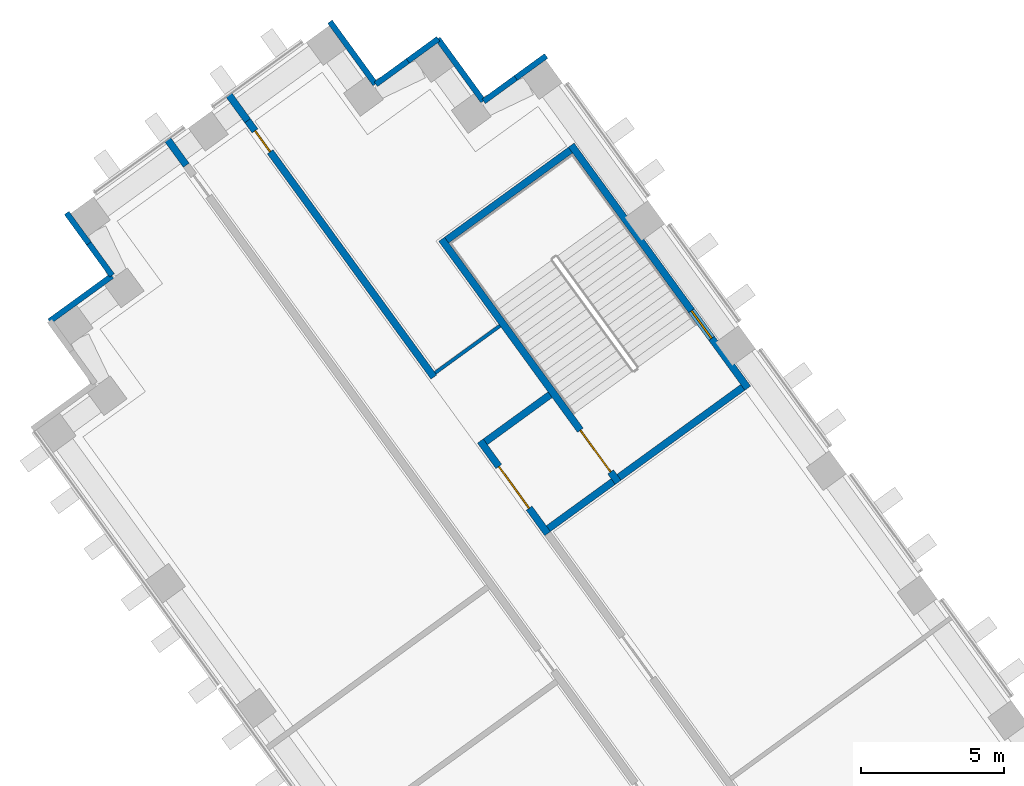
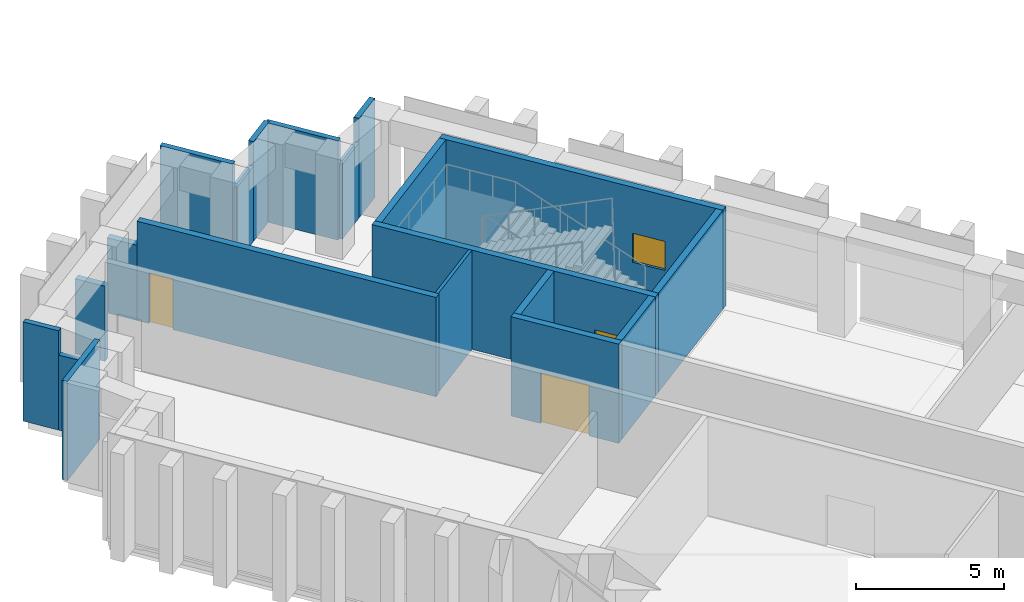
# One storey, part 9 of 15: 20 walls, 3 doors, 1 window, 4 openings.
"""IFC4 building model written with IfcOpenShell, lengths in metres."""

from ifc_helpers import new_model, si_unit, direction, frame, frame_2d, origin, place, context, subcontext, project, spatial, rectangle, extrude, material, layer, layer_set, type_object, element, fill, save


model = new_model("IFC4")

# Units and contexts
model_context = context("Model", 3, precision=1e-05, world=origin(), true_north=direction((0.0, 1.0)))
body_context = subcontext(model_context, "Body", "Model", "MODEL_VIEW")
ifc_project = project(units=[si_unit("LENGTHUNIT", "METRE"), si_unit("AREAUNIT", "SQUARE_METRE"), si_unit("VOLUMEUNIT", "CUBIC_METRE"), si_unit("PLANEANGLEUNIT", "RADIAN"), si_unit("MASSUNIT", "GRAM", prefix="KILO")], contexts=[model_context])

# Site, building, storey
site_placement = place(None, origin())
site = spatial("IfcSite", under=ifc_project, at=site_placement, CompositionType="ELEMENT")
building_placement = place(site_placement, origin())
building = spatial("IfcBuilding", under=site, at=building_placement, Name="Quipu Civic Tower", CompositionType="ELEMENT")
storey_placement = place(building_placement, frame((0.0, 0.0, 11.5)))
storey = spatial("IfcBuildingStorey", under=building, at=storey_placement, Name="L02", CompositionType="ELEMENT", Elevation=11.5)

# Wall, opening, window
ifc_material_1 = material(Name="Concrete C70/85", Category="concrete")
ifc_layer_1 = layer(ifc_material_1, 0.25)
ifc_layer_set_1 = layer_set([ifc_layer_1], Name="Concrete C70/85")
wall_type_1 = type_object("IfcWallType", Name="Core wall 250", PredefinedType="SHEAR", material=ifc_layer_set_1)
wall_1_placement = place(storey_placement, frame((-30.239501953125, 31.06396484375, 0.0), z_axis=(0.0, 0.0, 1.0), x_axis=(-0.587795589702, 0.809009483706, 0.0)))
wall_1 = element("IfcWall", 1, at=wall_1_placement, inside=storey, type_object=wall_type_1, Name="Core wall", PredefinedType="SHEAR", context=body_context, shape_type="SweptSolid", body=[
    extrude(rectangle(XDim=10.5, YDim=0.25, at=frame_2d((5.25, 0.0))), origin(), (0.0, 0.0, 1.0), 4.10009765625),
])
opening_1_placement = place(wall_1_placement, frame((2.14990234375, 0.0, 1.0)))
opening_1 = element("IfcOpeningElement", 2, at=opening_1_placement, cuts=wall_1, Name="Opening SV-6", PredefinedType="OPENING", context=body_context, shape_type="SweptSolid", body=[
    extrude(rectangle(XDim=1.199951171875, YDim=1.199951171875, at=frame_2d((0.60009765625, 0.60009765625))), frame((0.0, 0.135009765625, 0.0), z_axis=(0.0, -1.0, 0.0), x_axis=(1.0, 0.0, 0.0)), (0.0, 0.0, 1.0), 0.27001953125),
])
ifc_material_2 = material(Name="Aluminium louvre", Category="aluminium")
window_type = type_object("IfcWindowType", Name="Stair ventilation louvre 1200 x 1200", PartitioningType="SINGLE_PANEL", PredefinedType="WINDOW", material=ifc_material_2)
window_placement = place(opening_1_placement, origin())
window = element("IfcWindow", 3, at=window_placement, inside=storey, type_object=window_type, Name="Stair ventilation opening", OverallHeight=1.199951171875, OverallWidth=1.199951171875, PartitioningType="SINGLE_PANEL", PredefinedType="WINDOW", context=body_context, shape_type="SweptSolid", body=[
    extrude(rectangle(XDim=1.199951171875, YDim=1.199951171875, at=frame_2d((0.60009765625, 0.60009765625))), frame((0.0, 0.030029296875, 0.0), z_axis=(0.0, -1.0, 0.0), x_axis=(1.0, 0.0, 0.0)), (0.0, 0.0, 1.0), 0.06005859375),
])
fill(opening_1, window)

# Walls
wall_2_placement = place(storey_placement, frame((-30.414306640625, 31.091796875, 0.0), z_axis=(0.0, 0.0, 1.0), x_axis=(-0.8089984606, -0.587810760999, 0.0)))
element("IfcWall", 4, at=wall_2_placement, inside=storey, type_object=wall_type_1, Name="Core wall", PredefinedType="SHEAR", context=body_context, shape_type="SweptSolid", body=[
    extrude(rectangle(XDim=5.35009765625, YDim=0.25, at=frame_2d((2.675048828125, 0.0))), origin(), (0.0, 0.0, 1.0), 4.10009765625),
])
wall_3_placement = place(storey_placement, frame((-36.43896484375, 39.384033203125, 0.0), z_axis=(0.0, 0.0, 1.0), x_axis=(-0.809020161303, -0.587780893365, 0.0)))
element("IfcWall", 5, at=wall_3_placement, inside=storey, type_object=wall_type_1, Name="Core wall", PredefinedType="SHEAR", context=body_context, shape_type="SweptSolid", body=[
    extrude(rectangle(XDim=5.349853515625, YDim=0.25, at=frame_2d((2.6748046875, 0.0))), origin(), (0.0, 0.0, 1.0), 4.10009765625),
])

# Wall, opening, door
wall_4_placement = place(storey_placement, frame((-40.94189453125, 36.26708984375, 0.0), z_axis=(0.0, 0.0, 1.0), x_axis=(0.587795589702, -0.809009483706, 0.0)))
wall_4 = element("IfcWall", 6, at=wall_4_placement, inside=storey, type_object=wall_type_1, Name="Core wall", PredefinedType="SHEAR", context=body_context, shape_type="SweptSolid", body=[
    extrude(rectangle(XDim=10.5, YDim=0.25, at=frame_2d((5.25, 0.0))), origin(), (0.0, 0.0, 1.0), 4.10009765625),
])
opening_2_placement = place(wall_4_placement, frame((8.25, 0.0, 0.0)))
opening_2 = element("IfcOpeningElement", 7, at=opening_2_placement, cuts=wall_4, Name="Opening CD-18", PredefinedType="OPENING", context=body_context, shape_type="SweptSolid", body=[
    extrude(rectangle(XDim=1.800048828125, YDim=2.10009765625, at=frame_2d((0.89990234375, 1.050048828125))), frame((0.0, 0.135009765625, 0.0), z_axis=(0.0, -1.0, 0.0), x_axis=(1.0, 0.0, 0.0)), (0.0, 0.0, 1.0), 0.27001953125),
])
ifc_material_3 = material(Name="Fire rated steel door", Category="steel")
door_type_1 = type_object("IfcDoorType", Name="Fire door FD90 double 1800 x 2100", OperationType="NOTDEFINED", PredefinedType="DOOR", material=ifc_material_3)
door_1_placement = place(opening_2_placement, origin())
door_1 = element("IfcDoor", 8, at=door_1_placement, inside=storey, type_object=door_type_1, Name="Door", OperationType="DOUBLE_DOOR_SINGLE_SWING", OverallHeight=2.10009765625, OverallWidth=1.800048828125, PredefinedType="DOOR", context=body_context, shape_type="SweptSolid", body=[
    extrude(rectangle(XDim=1.800048828125, YDim=2.10009765625, at=frame_2d((0.89990234375, 1.050048828125))), frame((0.0, 0.02490234375, 0.0), z_axis=(0.0, -1.0, 0.0), x_axis=(1.0, 0.0, 0.0)), (0.0, 0.0, 1.0), 0.050048828125),
])
fill(opening_2, door_1)

# Walls
for number, where, z_axis, x_axis, name in (
    (9, (-34.944580078125, 27.800048828125, 0.0), (0.0, 0.0, 1.0), (-0.809041377956, -0.587751689708, 0.0), "Core wall"),
    (10, (-37.14892578125, 30.833984375, 0.0), (0.0, 0.0, 1.0), (-0.808969789945, -0.58785021813, 0.0), "Core wall"),
):
    element("IfcWall", number, at=place(storey_placement, frame(where, z_axis=z_axis, x_axis=x_axis)), inside=storey, type_object=wall_type_1, Name=name, PredefinedType="SHEAR", context=body_context, shape_type="SweptSolid", body=[
        extrude(rectangle(XDim=2.800048828125, YDim=0.25, at=frame_2d((1.39990234375, 0.0))), origin(), (0.0, 0.0, 1.0), 4.10009765625),
    ])

# Wall, opening, door
wall_5_placement = place(storey_placement, frame((-39.588623046875, 29.2158203125, 0.0), z_axis=(0.0, 0.0, 1.0), x_axis=(0.587772420479, -0.809026317077, 0.0)))
wall_5 = element("IfcWall", 11, at=wall_5_placement, inside=storey, type_object=wall_type_1, Name="Core wall", PredefinedType="SHEAR", context=body_context, shape_type="SweptSolid", body=[
    extrude(rectangle(XDim=4.0, YDim=0.25, at=frame_2d((2.0, 0.0))), origin(), (0.0, 0.0, 1.0), 4.10009765625),
])
opening_3_placement = place(wall_5_placement, frame((1.10009765625, 0.0, 0.0)))
opening_3 = element("IfcOpeningElement", 12, at=opening_3_placement, cuts=wall_5, Name="Opening CD-19", PredefinedType="OPENING", context=body_context, shape_type="SweptSolid", body=[
    extrude(rectangle(XDim=1.800048828125, YDim=2.10009765625, at=frame_2d((0.89990234375, 1.050048828125))), frame((0.0, 0.135009765625, 0.0), z_axis=(0.0, -1.0, 0.0), x_axis=(1.0, 0.0, 0.0)), (0.0, 0.0, 1.0), 0.27001953125),
])
door_2_placement = place(opening_3_placement, origin())
door_2 = element("IfcDoor", 13, at=door_2_placement, inside=storey, type_object=door_type_1, Name="Lobby door", OperationType="DOUBLE_DOOR_SINGLE_SWING", OverallHeight=2.10009765625, OverallWidth=1.800048828125, PredefinedType="DOOR", context=body_context, shape_type="SweptSolid", body=[
    extrude(rectangle(XDim=1.800048828125, YDim=2.10009765625, at=frame_2d((0.89990234375, 1.050048828125))), frame((0.0, 0.02490234375, 0.0), z_axis=(0.0, -1.0, 0.0), x_axis=(1.0, 0.0, 0.0)), (0.0, 0.0, 1.0), 0.050048828125),
])
fill(opening_3, door_2)

ifc_material_4 = material(Name="Concrete C50/60", Category="concrete")
ifc_layer_2 = layer(ifc_material_4, 0.25)
ifc_layer_set_2 = layer_set([ifc_layer_2], Name="Concrete C50/60")
wall_type_2 = type_object("IfcWallType", Name="Corridor wall 250 concrete", PredefinedType="SOLIDWALL", material=ifc_layer_set_2)
wall_6_placement = place(storey_placement, frame((-47.724853515625, 40.414306640625, 0.0), z_axis=(0.0, 0.0, 1.0), x_axis=(0.587773291021, -0.809025684612, 0.0)))
wall_6 = element("IfcWall", 14, at=wall_6_placement, inside=storey, type_object=wall_type_2, Name="Corridor wall C03", PredefinedType="SOLIDWALL", context=body_context, shape_type="SweptSolid", body=[
    extrude(rectangle(XDim=11.07861328125, YDim=0.25, at=frame_2d((5.539306640625, 0.0))), origin(), (0.0, 0.0, 1.0), 4.10009765625),
])
opening_4_placement = place(wall_6_placement, frame((0.442138671875, 0.0, 0.0)))
opening_4 = element("IfcOpeningElement", 15, at=opening_4_placement, cuts=wall_6, Name="Opening D012", PredefinedType="OPENING", context=body_context, shape_type="SweptSolid", body=[
    extrude(rectangle(XDim=0.89990234375, YDim=2.10009765625, at=frame_2d((0.449951171875, 1.050048828125))), frame((0.0, 0.135009765625, 0.0), z_axis=(0.0, -1.0, 0.0), x_axis=(1.0, 0.0, 0.0)), (0.0, 0.0, 1.0), 0.27001953125),
])
ifc_material_5 = material(Name="Fire rated timber door set with metal frame", Category="wood")
door_type_2 = type_object("IfcDoorType", Name="Single door 900 x 2100 FD60", OperationType="NOTDEFINED", PredefinedType="DOOR", material=ifc_material_5)
door_3_placement = place(opening_4_placement, origin())
door_3 = element("IfcDoor", 16, at=door_3_placement, inside=storey, type_object=door_type_2, Name="Door D012", OperationType="SINGLE_SWING_LEFT", OverallHeight=2.10009765625, OverallWidth=0.89990234375, PredefinedType="DOOR", context=body_context, shape_type="SweptSolid", body=[
    extrude(rectangle(XDim=0.89990234375, YDim=2.10009765625, at=frame_2d((0.449951171875, 1.050048828125))), frame((0.0, 0.02490234375, 0.0), z_axis=(0.0, -1.0, 0.0), x_axis=(1.0, 0.0, 0.0)), (0.0, 0.0, 1.0), 0.050048828125),
])
fill(opening_4, door_3)

# Walls
wall_7_placement = place(storey_placement, frame((-49.86865234375, 38.8564453125, 0.0), z_axis=(0.0, 0.0, 1.0), x_axis=(-0.587674273289, 0.809097613712, 0.0)))
element("IfcWall", 17, at=wall_7_placement, inside=storey, type_object=wall_type_2, Name="Corridor wall C02", PredefinedType="SOLIDWALL", context=body_context, shape_type="SweptSolid", body=[
    extrude(rectangle(XDim=1.109130859375, YDim=0.25, at=frame_2d((0.5546875, 0.0))), origin(), (0.0, 0.0, 1.0), 3.10009765625),
])
wall_8_placement = place(storey_placement, frame((-47.724853515625, 40.414306640625, 0.0), z_axis=(0.0, 0.0, 1.0), x_axis=(-0.587883639643, 0.808945502639, 0.0)))
element("IfcWall", 18, at=wall_8_placement, inside=storey, type_object=wall_type_2, Name="Corridor wall C03", PredefinedType="SOLIDWALL", context=body_context, shape_type="SweptSolid", body=[
    extrude(rectangle(XDim=1.10888671875, YDim=0.25, at=frame_2d((0.554443359375, 0.0))), origin(), (0.0, 0.0, 1.0), 3.10009765625),
])
ifc_material_6 = material(Name="Gypsum plasterboard on light gauge framing")
ifc_layer_3 = layer(ifc_material_6, 0.1201171875)
ifc_layer_set_3 = layer_set([ifc_layer_3], Name="Gypsum plasterboard on light gauge framing")
wall_type_3 = type_object("IfcWallType", Name="Partition 120 plasterboard", PredefinedType="PARTITIONING", material=ifc_layer_set_3)
wall_9_placement = place(storey_placement, frame((-41.166015625, 31.59912109375, 0.0), z_axis=(0.0, 0.0, 1.0), x_axis=(0.809090262332, 0.587684394381, 0.0)))
element("IfcWall", 19, at=wall_9_placement, inside=storey, type_object=wall_type_3, Name="Partition P16", PredefinedType="PARTITIONING", context=body_context, shape_type="SweptSolid", body=[
    extrude(rectangle(XDim=2.80078125, YDim=0.1201171875, at=frame_2d((1.400390625, 0.0))), origin(), (0.0, 0.0, 1.0), 4.10009765625),
])
ifc_material_7 = material(Name="Precast concrete C40/50", Category="concrete")
wall_type_4 = type_object("IfcWallType", Name="Precast cladding wall", PredefinedType="SOLIDWALL", material=ifc_material_7)
wall_10_placement = place(storey_placement, frame((-37.286865234375, 42.677734375, 0.0), z_axis=(0.0, 0.0, 1.0), x_axis=(-0.809065186597, -0.587718915671, 0.0)))
element("IfcWall", 20, at=wall_10_placement, inside=storey, type_object=wall_type_4, Name="Precast cladding wall L02 8", PredefinedType="SOLIDWALL", context=body_context, shape_type="SweptSolid", body=[
    extrude(rectangle(XDim=1.314697265625, YDim=0.199951171875, at=frame_2d((0.6572265625, 0.0))), origin(), (0.0, 0.0, 1.0), 4.10009765625),
])
wall_11_placement = place(storey_placement, frame((-38.3505859375, 41.905029296875, 0.0), z_axis=(0.0, 0.0, 1.0), x_axis=(-0.809002762913, -0.58780483972, 0.0)))
element("IfcWall", 21, at=wall_11_placement, inside=storey, type_object=wall_type_4, Name="Precast cladding wall L02 8 a", PredefinedType="SOLIDWALL", context=body_context, shape_type="SweptSolid", body=[
    extrude(rectangle(XDim=1.38525390625, YDim=0.199951171875, at=frame_2d((0.692626953125, 0.0))), origin(), (0.0, 0.0, 1.0), 3.10009765625),
])
wall_12_placement = place(storey_placement, frame((-39.488037109375, 41.093505859375, 0.0), z_axis=(0.0, 0.0, 1.0), x_axis=(-0.587806000234, 0.809001919707, 0.0)))
element("IfcWall", 22, at=wall_12_placement, inside=storey, type_object=wall_type_4, Name="Precast cladding wall L02 9", PredefinedType="SOLIDWALL", context=body_context, shape_type="SweptSolid", body=[
    extrude(rectangle(XDim=2.69970703125, YDim=0.199951171875, at=frame_2d((1.349853515625, 0.0))), origin(), (0.0, 0.0, 1.0), 4.10009765625),
])
wall_13_placement = place(storey_placement, frame((-41.05810546875, 43.275146484375, 0.0), z_axis=(0.0, 0.0, 1.0), x_axis=(-0.809056865039, -0.587730371117, 0.0)))
element("IfcWall", 23, at=wall_13_placement, inside=storey, type_object=wall_type_4, Name="Precast cladding wall L02 10", PredefinedType="SOLIDWALL", context=body_context, shape_type="SweptSolid", body=[
    extrude(rectangle(XDim=1.31591796875, YDim=0.199951171875, at=frame_2d((0.657958984375, 0.0))), origin(), (0.0, 0.0, 1.0), 4.10009765625),
])
wall_14_placement = place(storey_placement, frame((-42.122802734375, 42.501708984375, 0.0), z_axis=(0.0, 0.0, 1.0), x_axis=(-0.808926734208, -0.5879094647, 0.0)))
element("IfcWall", 24, at=wall_14_placement, inside=storey, type_object=wall_type_4, Name="Precast cladding wall L02 10 a", PredefinedType="SOLIDWALL", context=body_context, shape_type="SweptSolid", body=[
    extrude(rectangle(XDim=1.384033203125, YDim=0.199951171875, at=frame_2d((0.69189453125, 0.0))), origin(), (0.0, 0.0, 1.0), 3.10009765625),
])
wall_15_placement = place(storey_placement, frame((-43.25927734375, 41.690673828125, 0.0), z_axis=(0.0, 0.0, 1.0), x_axis=(-0.587822180636, 0.808990163075, 0.0)))
element("IfcWall", 25, at=wall_15_placement, inside=storey, type_object=wall_type_4, Name="Precast cladding wall L02 11", PredefinedType="SOLIDWALL", context=body_context, shape_type="SweptSolid", body=[
    extrude(rectangle(XDim=2.699951171875, YDim=0.199951171875, at=frame_2d((1.35009765625, 0.0))), origin(), (0.0, 0.0, 1.0), 4.10009765625),
])
wall_16_placement = place(storey_placement, frame((-54.0498046875, 37.1884765625, 0.0), z_axis=(0.0, 0.0, 1.0), x_axis=(0.58786388341, -0.808959859686, 0.0)))
element("IfcWall", 26, at=wall_16_placement, inside=storey, type_object=wall_type_4, Name="Precast cladding wall L02 14", PredefinedType="SOLIDWALL", context=body_context, shape_type="SweptSolid", body=[
    extrude(rectangle(XDim=1.320556640625, YDim=0.199951171875, at=frame_2d((0.66015625, 0.0))), origin(), (0.0, 0.0, 1.0), 4.10009765625),
])
wall_17_placement = place(storey_placement, frame((-53.2734375, 36.1201171875, 0.0), z_axis=(0.0, 0.0, 1.0), x_axis=(0.587782252522, -0.809019173827, 0.0)))
element("IfcWall", 27, at=wall_17_placement, inside=storey, type_object=wall_type_4, Name="Precast cladding wall L02 14 a", PredefinedType="SOLIDWALL", context=body_context, shape_type="SweptSolid", body=[
    extrude(rectangle(XDim=1.37939453125, YDim=0.199951171875, at=frame_2d((0.689697265625, 0.0))), origin(), (0.0, 0.0, 1.0), 3.10009765625),
])
wall_18_placement = place(storey_placement, frame((-52.46533203125, 34.9873046875, 0.0), z_axis=(0.0, 0.0, 1.0), x_axis=(-0.809033161865, -0.587762999008, 0.0)))
element("IfcWall", 28, at=wall_18_placement, inside=storey, type_object=wall_type_4, Name="Precast cladding wall L02 15", PredefinedType="SOLIDWALL", context=body_context, shape_type="SweptSolid", body=[
    extrude(rectangle(XDim=2.699951171875, YDim=0.199951171875, at=frame_2d((1.35009765625, 0.0))), origin(), (0.0, 0.0, 1.0), 4.10009765625),
])

save(model, "model.ifc")
